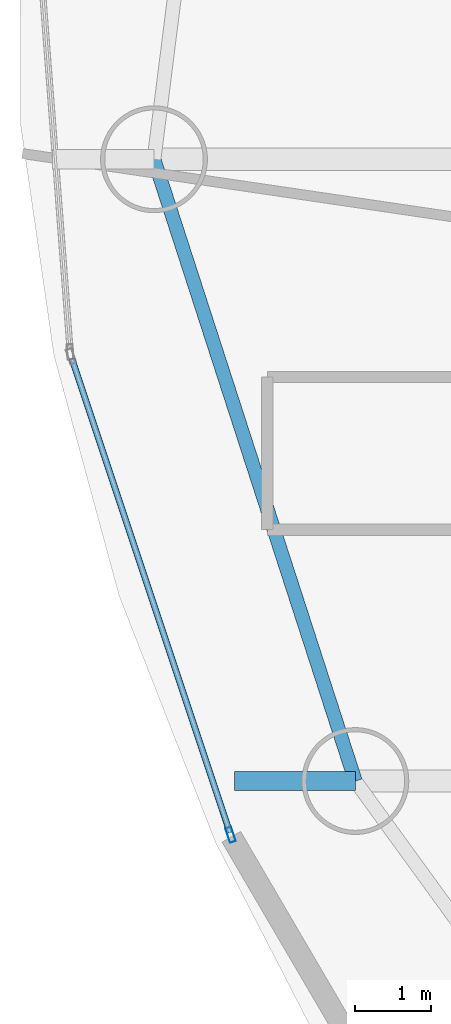
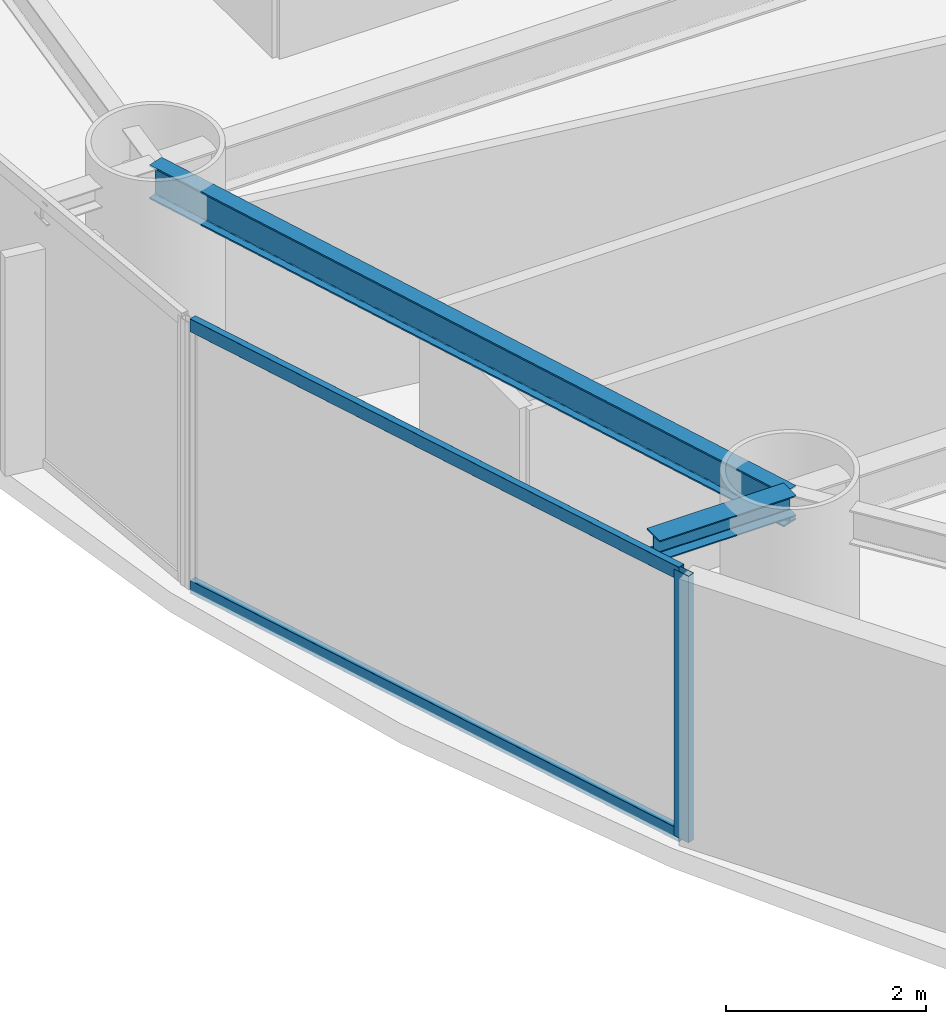
# One storey, part 4 of 22: 3 members, 2 beams, 1 element without a shape of its own.
"""IFC4 building model written with IfcOpenShell, lengths in metres."""

from ifc_helpers import new_model, si_unit, direction, frame, origin, origin_2d, place, context, subcontext, project, spatial, hollow_rectangle, i_section, extrude, material, layer, layer_set, material_profile, profile_set, type_object, element, aggregate, save


model = new_model("IFC4")

# Units and contexts
model_context = context("Model", 3, precision=1e-05, world=origin(), true_north=direction((0.0, 1.0)))
body_context = subcontext(model_context, "Body", "Model", "MODEL_VIEW")
ifc_project = project(units=[si_unit("LENGTHUNIT", "METRE"), si_unit("AREAUNIT", "SQUARE_METRE"), si_unit("VOLUMEUNIT", "CUBIC_METRE"), si_unit("PLANEANGLEUNIT", "RADIAN"), si_unit("MASSUNIT", "GRAM", prefix="KILO")], contexts=[model_context])

# Site, building, storey
site_placement = place(None, origin())
site = spatial("IfcSite", under=ifc_project, at=site_placement, CompositionType="ELEMENT")
building_placement = place(site_placement, origin())
building = spatial("IfcBuilding", under=site, at=building_placement, Name="Bramvorn Convention Spire", CompositionType="ELEMENT")
storey_placement = place(building_placement, frame((0.0, 0.0, 134.300048828125)))
storey = spatial("IfcBuildingStorey", under=building, at=storey_placement, Name="L33", CompositionType="ELEMENT", Elevation=134.300048828125)

# Beams
ifc_material_1 = material(Name="Steel CSA G40.21 Grade 350 (350W)", Category="steel")
ifc_material_profile_1 = material_profile(ifc_material_1, i_section(OverallWidth=0.25390625, OverallDepth=0.2529296875, WebThickness=0.008544921875, FlangeThickness=0.01416015625, FilletRadius=0.011962890625, at=origin_2d()))
ifc_profile_set_1 = profile_set([ifc_material_profile_1], Name="Steel CSA G40.21 Grade 350 (350W) - W250X73")
beam_type_1 = type_object("IfcBeamType", Name="BM-W250X73", PredefinedType="BEAM", material=ifc_profile_set_1)
beam_1_placement = place(storey_placement, frame((15.654296875, 21.706787109375, 3.133544921875), z_axis=(-1.0, 0.0, 0.0), x_axis=(0.0, -1.0, 0.0)))
element("IfcBeam", 1, at=beam_1_placement, inside=storey, type_object=beam_type_1, Name="L33 slab-edge cantilever tip beam MC11", PredefinedType="BEAM", context=body_context, shape_type="SweptSolid", body=[
    extrude(i_section(OverallWidth=0.25390625, OverallDepth=0.2529296875, WebThickness=0.008544921875, FlangeThickness=0.01416015625, FilletRadius=0.011962890625, at=origin_2d()), origin(), (0.0, 0.0, 1.0), 1.58154296875),
])
ifc_material_profile_2 = material_profile(ifc_material_1, i_section(OverallWidth=0.180908203125, OverallDepth=0.4169921875, WebThickness=0.010986328125, FlangeThickness=0.018310546875, FilletRadius=0.01611328125, at=origin_2d()))
ifc_profile_set_2 = profile_set([ifc_material_profile_2], Name="Steel CSA G40.21 Grade 350 (350W) - W410X85")
beam_type_2 = type_object("IfcBeamType", Name="BM-W410X85", PredefinedType="JOIST", material=ifc_profile_set_2)
beam_2_placement = place(storey_placement, frame((13.016357421875, 29.851806640625, 3.051513671875), z_axis=(0.308114853612, -0.951349166701, 0.0), x_axis=(0.951349166701, 0.308114853612, 0.0)))
element("IfcBeam", 2, at=beam_2_placement, inside=storey, type_object=beam_type_2, Name="L33 mega-column ring beam 10", PredefinedType="JOIST", context=body_context, shape_type="SweptSolid", body=[
    extrude(i_section(OverallWidth=0.180908203125, OverallDepth=0.4169921875, WebThickness=0.010986328125, FlangeThickness=0.018310546875, FilletRadius=0.01611328125, at=origin_2d()), origin(), (0.0, 0.0, 1.0), 8.5615234375),
])

# Curtain wall, members
ifc_material_2 = material(Name="Anodised Bronze Unitised Curtain Wall", Category="aluminium")
ifc_layer = layer(ifc_material_2, 0.179931640625)
ifc_layer_set = layer_set([ifc_layer], Name="Anodised Bronze Unitised Curtain Wall - CW-HTL-FRIT")
curtain_wall_type = type_object("IfcCurtainWallType", Name="CW-HTL-FRIT", PredefinedType="USERDEFINED", material=ifc_layer_set)
curtain_wall_placement = place(storey_placement, origin())
curtain_wall = element("IfcCurtainWall", 3, at=curtain_wall_placement, inside=storey, type_object=curtain_wall_type, Name="L33 fritted glass curtain wall 15", ObjectType="UNITISED CURTAIN WALL", PredefinedType="USERDEFINED")
ifc_material_3 = material(Name="Anodised Bronze Aluminium 6063-T6", Category="aluminium")
ifc_material_profile_3 = material_profile(ifc_material_3, hollow_rectangle(XDim=0.080078125, YDim=0.199951171875, WallThickness=0.00390625, InnerFilletRadius=0.0009765625, OuterFilletRadius=0.00390625, at=origin_2d()))
ifc_profile_set_3 = profile_set([ifc_material_profile_3], Name="Anodised Bronze Aluminium 6063-T6 - CWM80X200")
member_type_1 = type_object("IfcMemberType", Name="CW-MUL-180", PredefinedType="MULLION", material=ifc_profile_set_3)
member_1_placement = place(storey_placement, frame((14.02001953125, 21.003662109375, 0.0), z_axis=(0.0, 0.0, 1.0), x_axis=(-0.948666792725, -0.316277277688, 0.0)))
member_1 = element("IfcMember", 4, at=member_1_placement, type_object=member_type_1, Name="CW2 mullion 1", PredefinedType="MULLION", context=body_context, shape_type="SweptSolid", body=[
    extrude(hollow_rectangle(XDim=0.080078125, YDim=0.199951171875, WallThickness=0.00390625, InnerFilletRadius=0.0009765625, OuterFilletRadius=0.00390625, at=origin_2d()), origin(), (0.0, 0.0, 1.0), 3.260009765625),
])
ifc_material_profile_4 = material_profile(ifc_material_3, hollow_rectangle(XDim=0.080078125, YDim=0.159912109375, WallThickness=0.00390625, InnerFilletRadius=0.0009765625, OuterFilletRadius=0.00390625, at=origin_2d()))
ifc_profile_set_4 = profile_set([ifc_material_profile_4], Name="Anodised Bronze Aluminium 6063-T6 - CWT80X160")
member_type_2 = type_object("IfcMemberType", Name="CW-TRN-150", PredefinedType="USERDEFINED", material=ifc_profile_set_4)
member_2_placement = place(storey_placement, frame((14.010498046875, 21.0322265625, 0.030029296875), z_axis=(-0.316283718478, 0.948664645397, 0.0), x_axis=(-0.948664645397, -0.316283718478, 0.0)))
member_2 = element("IfcMember", 5, at=member_2_placement, type_object=member_type_2, Name="CW2 transom 1.1", ObjectType="TRANSOM", PredefinedType="USERDEFINED", context=body_context, shape_type="SweptSolid", body=[
    extrude(hollow_rectangle(XDim=0.080078125, YDim=0.159912109375, WallThickness=0.00390625, InnerFilletRadius=0.0009765625, OuterFilletRadius=0.00390625, at=origin_2d()), origin(), (0.0, 0.0, 1.0), 6.544921875),
])
member_3_placement = place(storey_placement, frame((14.010498046875, 21.0322265625, 3.22998046875), z_axis=(-0.316283718478, 0.948664645397, 0.0), x_axis=(-0.948664645397, -0.316283718478, 0.0)))
member_3 = element("IfcMember", 6, at=member_3_placement, type_object=member_type_2, Name="CW2 transom 1.2", ObjectType="TRANSOM", PredefinedType="USERDEFINED", context=body_context, shape_type="SweptSolid", body=[
    extrude(hollow_rectangle(XDim=0.080078125, YDim=0.159912109375, WallThickness=0.00390625, InnerFilletRadius=0.0009765625, OuterFilletRadius=0.00390625, at=origin_2d()), origin(), (0.0, 0.0, 1.0), 6.544921875),
])
aggregate(curtain_wall, [member_1, member_2, member_3])

save(model, "model.ifc")
